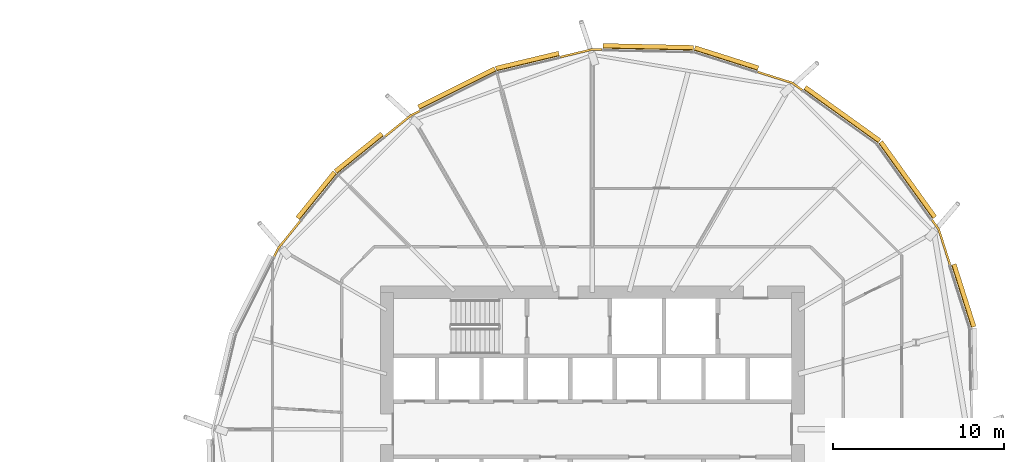
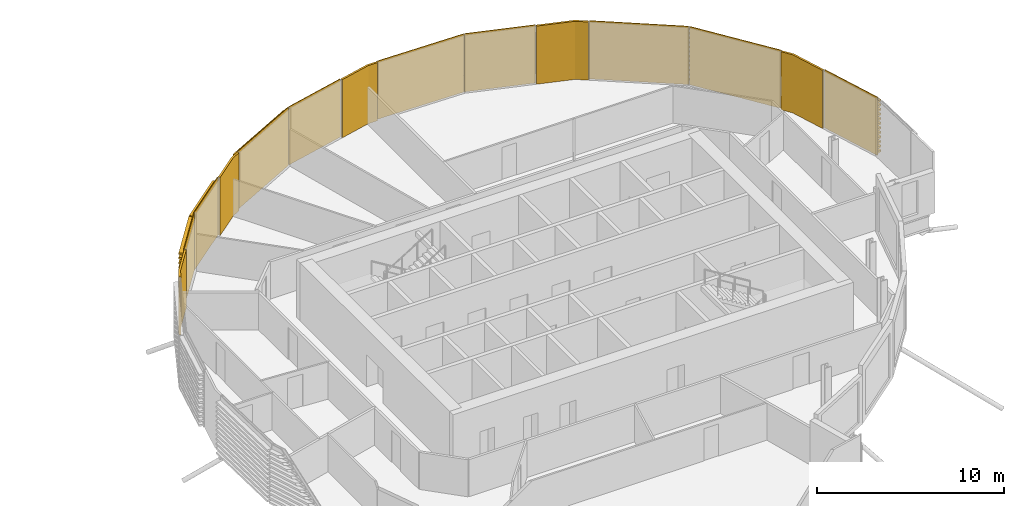
# One storey, part 39 of 39: 14 coverings.
"""IFC4 building model written with IfcOpenShell, lengths in metres."""

from ifc_helpers import new_model, si_unit, direction, frame, origin, place, context, subcontext, project, spatial, polyline, outline, extrude, material, layer, layer_set, material_profile, profile_set, type_object, element, save


model = new_model("IFC4")

# Units and contexts
model_context = context("Model", 3, precision=1e-05, world=origin(), true_north=direction((0.0, 1.0)))
body_context = subcontext(model_context, "Body", "Model", "MODEL_VIEW")
ifc_project = project(units=[si_unit("LENGTHUNIT", "METRE"), si_unit("AREAUNIT", "SQUARE_METRE"), si_unit("VOLUMEUNIT", "CUBIC_METRE"), si_unit("PLANEANGLEUNIT", "RADIAN"), si_unit("MASSUNIT", "GRAM", prefix="KILO")], contexts=[model_context])

# Site, building, storey
site_placement = place(None, origin())
site = spatial("IfcSite", under=ifc_project, at=site_placement, CompositionType="ELEMENT")
building_placement = place(site_placement, origin())
building = spatial("IfcBuilding", under=site, at=building_placement, Name="Rimbun Link Towers", CompositionType="ELEMENT")
storey_placement = place(building_placement, frame((0.0, 0.0, 96.800048828125)))
storey = spatial("IfcBuildingStorey", under=building, at=storey_placement, Name="L23", CompositionType="ELEMENT", Elevation=96.800048828125)

# Coverings
ifc_material_1 = material(Name="Terracotta", Category="masonry")
ifc_layer = layer(ifc_material_1, 0.1201171875)
ifc_layer_set = layer_set([ifc_layer], Name="LINK PIER terracotta cladding 120")
covering_type_1 = type_object("IfcCoveringType", Name="LINK PIER terracotta cladding 120", PredefinedType="CLADDING", material=ifc_layer_set)
covering_1_placement = place(storey_placement, origin())
element("IfcCovering", 1, at=covering_1_placement, inside=storey, type_object=covering_type_1, Name="LINK PIER cladding", PredefinedType="CLADDING", context=body_context, shape_type="SweptSolid", body=[
    extrude(outline(polyline([(41.3779296875, 20.818115234375), (43.398193359375, 20.175537109375), (43.9833984375, 19.755859375), (44.05322265625, 19.853271484375), (43.452880859375, 20.2841796875), (41.414306640625, 20.932373046875), (41.3779296875, 20.818115234375)])), origin(), (0.0, 0.0, 1.0), 3.800048828125),
])
covering_2_placement = place(storey_placement, origin())
element("IfcCovering", 2, at=covering_2_placement, inside=storey, type_object=covering_type_1, Name="LINK PIER cladding", PredefinedType="CLADDING", context=body_context, shape_type="SweptSolid", body=[
    extrude(outline(polyline([(29.882568359375, 21.682373046875), (31.75, 22.12890625), (32.31982421875, 22.116943359375), (32.322509765625, 22.237060546875), (31.737060546875, 22.249267578125), (29.854736328125, 21.799072265625), (29.882568359375, 21.682373046875)])), origin(), (0.0, 0.0, 1.0), 3.800048828125),
])
covering_3_placement = place(storey_placement, origin())
element("IfcCovering", 3, at=covering_3_placement, inside=storey, type_object=covering_type_1, Name="LINK PIER cladding", PredefinedType="CLADDING", context=body_context, shape_type="SweptSolid", body=[
    extrude(outline(polyline([(19.658203125, 17.0517578125), (21.189453125, 18.291259765625), (21.698974609375, 18.547119140625), (21.64501953125, 18.654296875), (21.1240234375, 18.392822265625), (19.582763671875, 17.14501953125), (19.658203125, 17.0517578125)])), origin(), (0.0, 0.0, 1.0), 3.800048828125),
])
covering_4_placement = place(storey_placement, origin())
element("IfcCovering", 4, at=covering_4_placement, inside=storey, type_object=covering_type_1, Name="LINK PIER cladding", PredefinedType="CLADDING", context=body_context, shape_type="SweptSolid", body=[
    extrude(outline(polyline([(13.202880859375, 10.051025390625), (13.458740234375, 10.560546875), (14.7294921875, 12.130615234375), (14.63623046875, 12.2060546875), (13.357177734375, 10.6259765625), (13.095703125, 10.10498046875), (13.202880859375, 10.051025390625)])), origin(), (0.0, 0.0, 1.0), 3.800048828125),
])
covering_5_placement = place(storey_placement, origin())
element("IfcCovering", 5, at=covering_5_placement, inside=storey, type_object=covering_type_1, Name="LINK PIER cladding", PredefinedType="CLADDING", context=body_context, shape_type="SweptSolid", body=[
    extrude(outline(polyline([(51.534912109375, 12.192626953125), (51.925537109375, 11.648193359375), (52.583251953125, 9.580322265625), (52.697509765625, 9.61669921875), (52.0341796875, 11.702880859375), (51.63232421875, 12.2626953125), (51.534912109375, 12.192626953125)])), origin(), (0.0, 0.0, 1.0), 3.800048828125),
])
ifc_material_2 = material(Name="Terracotta", Category="masonry")
ifc_material_profile = material_profile(ifc_material_2, outline(polyline([(0.123046875, 0.0), (0.1630859375, 0.0), (0.1630859375, 0.10009765625), (0.423095703125, 0.10009765625), (0.423095703125, 0.219970703125), (0.1630859375, 0.219970703125), (0.1630859375, 0.39990234375), (0.423095703125, 0.39990234375), (0.423095703125, 0.52001953125), (0.1630859375, 0.52001953125), (0.1630859375, 0.699951171875), (0.423095703125, 0.699951171875), (0.423095703125, 0.820068359375), (0.1630859375, 0.820068359375), (0.1630859375, 1.0), (0.423095703125, 1.0), (0.423095703125, 1.1201171875), (0.1630859375, 1.1201171875), (0.1630859375, 1.300048828125), (0.423095703125, 1.300048828125), (0.423095703125, 1.419921875), (0.1630859375, 1.419921875), (0.1630859375, 1.60009765625), (0.423095703125, 1.60009765625), (0.423095703125, 1.719970703125), (0.1630859375, 1.719970703125), (0.1630859375, 1.89990234375), (0.423095703125, 1.89990234375), (0.423095703125, 2.02001953125), (0.1630859375, 2.02001953125), (0.1630859375, 2.199951171875), (0.423095703125, 2.199951171875), (0.423095703125, 2.320068359375), (0.1630859375, 2.320068359375), (0.1630859375, 2.5), (0.423095703125, 2.5), (0.423095703125, 2.6201171875), (0.1630859375, 2.6201171875), (0.1630859375, 2.800048828125), (0.423095703125, 2.800048828125), (0.423095703125, 2.919921875), (0.1630859375, 2.919921875), (0.1630859375, 3.10009765625), (0.423095703125, 3.10009765625), (0.423095703125, 3.219970703125), (0.1630859375, 3.219970703125), (0.1630859375, 3.39990234375), (0.423095703125, 3.39990234375), (0.423095703125, 3.52001953125), (0.1630859375, 3.52001953125), (0.1630859375, 3.800048828125), (0.123046875, 3.800048828125), (0.123046875, 0.0)])), Name="BAGUETTE 120X300")
ifc_profile_set = profile_set([ifc_material_profile], Name="Terracotta")
covering_type_2 = type_object("IfcCoveringType", Name="TERRACOTTA BAGUETTE 120X300 H3800", PredefinedType="CLADDING", material=ifc_profile_set)
covering_6_placement = place(storey_placement, frame((44.007568359375, 19.73828125, 0.0), z_axis=(0.812479161919, -0.58299023272, 0.0), x_axis=(0.58299023272, 0.812479161919, 0.0)))
element("IfcCovering", 6, at=covering_6_placement, inside=storey, type_object=covering_type_2, Name="TERRACOTTA BAGUETTE", PredefinedType="CLADDING", context=body_context, shape_type="SweptSolid", body=[
    extrude(outline(polyline([(0.123046875, 0.0), (0.1630859375, 0.0), (0.1630859375, 0.10009765625), (0.423095703125, 0.10009765625), (0.423095703125, 0.219970703125), (0.1630859375, 0.219970703125), (0.1630859375, 0.39990234375), (0.423095703125, 0.39990234375), (0.423095703125, 0.52001953125), (0.1630859375, 0.52001953125), (0.1630859375, 0.699951171875), (0.423095703125, 0.699951171875), (0.423095703125, 0.820068359375), (0.1630859375, 0.820068359375), (0.1630859375, 1.0), (0.423095703125, 1.0), (0.423095703125, 1.1201171875), (0.1630859375, 1.1201171875), (0.1630859375, 1.300048828125), (0.423095703125, 1.300048828125), (0.423095703125, 1.419921875), (0.1630859375, 1.419921875), (0.1630859375, 1.60009765625), (0.423095703125, 1.60009765625), (0.423095703125, 1.719970703125), (0.1630859375, 1.719970703125), (0.1630859375, 1.89990234375), (0.423095703125, 1.89990234375), (0.423095703125, 2.02001953125), (0.1630859375, 2.02001953125), (0.1630859375, 2.199951171875), (0.423095703125, 2.199951171875), (0.423095703125, 2.320068359375), (0.1630859375, 2.320068359375), (0.1630859375, 2.5), (0.423095703125, 2.5), (0.423095703125, 2.6201171875), (0.1630859375, 2.6201171875), (0.1630859375, 2.800048828125), (0.423095703125, 2.800048828125), (0.423095703125, 2.919921875), (0.1630859375, 2.919921875), (0.1630859375, 3.10009765625), (0.423095703125, 3.10009765625), (0.423095703125, 3.219970703125), (0.1630859375, 3.219970703125), (0.1630859375, 3.39990234375), (0.423095703125, 3.39990234375), (0.423095703125, 3.52001953125), (0.1630859375, 3.52001953125), (0.1630859375, 3.800048828125), (0.123046875, 3.800048828125), (0.123046875, 0.0)])), origin(), (0.0, 0.0, 1.0), 5.360595703125),
])
covering_7_placement = place(storey_placement, frame((37.646240234375, 22.0048828125, 0.0), z_axis=(0.952965377873, -0.303079178722, 0.0), x_axis=(0.303079178722, 0.952965377873, 0.0)))
element("IfcCovering", 7, at=covering_7_placement, inside=storey, type_object=covering_type_2, Name="TERRACOTTA BAGUETTE", PredefinedType="CLADDING", context=body_context, shape_type="SweptSolid", body=[
    extrude(outline(polyline([(0.123046875, 0.0), (0.1630859375, 0.0), (0.1630859375, 0.10009765625), (0.423095703125, 0.10009765625), (0.423095703125, 0.219970703125), (0.1630859375, 0.219970703125), (0.1630859375, 0.39990234375), (0.423095703125, 0.39990234375), (0.423095703125, 0.52001953125), (0.1630859375, 0.52001953125), (0.1630859375, 0.699951171875), (0.423095703125, 0.699951171875), (0.423095703125, 0.820068359375), (0.1630859375, 0.820068359375), (0.1630859375, 1.0), (0.423095703125, 1.0), (0.423095703125, 1.1201171875), (0.1630859375, 1.1201171875), (0.1630859375, 1.300048828125), (0.423095703125, 1.300048828125), (0.423095703125, 1.419921875), (0.1630859375, 1.419921875), (0.1630859375, 1.60009765625), (0.423095703125, 1.60009765625), (0.423095703125, 1.719970703125), (0.1630859375, 1.719970703125), (0.1630859375, 1.89990234375), (0.423095703125, 1.89990234375), (0.423095703125, 2.02001953125), (0.1630859375, 2.02001953125), (0.1630859375, 2.199951171875), (0.423095703125, 2.199951171875), (0.423095703125, 2.320068359375), (0.1630859375, 2.320068359375), (0.1630859375, 2.5), (0.423095703125, 2.5), (0.423095703125, 2.6201171875), (0.1630859375, 2.6201171875), (0.1630859375, 2.800048828125), (0.423095703125, 2.800048828125), (0.423095703125, 2.919921875), (0.1630859375, 2.919921875), (0.1630859375, 3.10009765625), (0.423095703125, 3.10009765625), (0.423095703125, 3.219970703125), (0.1630859375, 3.219970703125), (0.1630859375, 3.39990234375), (0.423095703125, 3.39990234375), (0.423095703125, 3.52001953125), (0.1630859375, 3.52001953125), (0.1630859375, 3.800048828125), (0.123046875, 3.800048828125), (0.123046875, 0.0)])), origin(), (0.0, 0.0, 1.0), 3.885986328125),
])
covering_8_placement = place(storey_placement, frame((32.349853515625, 22.116455078125, 0.0), z_axis=(0.999778191278, -0.021061059897, 0.0), x_axis=(0.021061059897, 0.999778191278, 0.0)))
element("IfcCovering", 8, at=covering_8_placement, inside=storey, type_object=covering_type_2, Name="TERRACOTTA BAGUETTE", PredefinedType="CLADDING", context=body_context, shape_type="SweptSolid", body=[
    extrude(outline(polyline([(0.123046875, 0.0), (0.1630859375, 0.0), (0.1630859375, 0.10009765625), (0.423095703125, 0.10009765625), (0.423095703125, 0.219970703125), (0.1630859375, 0.219970703125), (0.1630859375, 0.39990234375), (0.423095703125, 0.39990234375), (0.423095703125, 0.52001953125), (0.1630859375, 0.52001953125), (0.1630859375, 0.699951171875), (0.423095703125, 0.699951171875), (0.423095703125, 0.820068359375), (0.1630859375, 0.820068359375), (0.1630859375, 1.0), (0.423095703125, 1.0), (0.423095703125, 1.1201171875), (0.1630859375, 1.1201171875), (0.1630859375, 1.300048828125), (0.423095703125, 1.300048828125), (0.423095703125, 1.419921875), (0.1630859375, 1.419921875), (0.1630859375, 1.60009765625), (0.423095703125, 1.60009765625), (0.423095703125, 1.719970703125), (0.1630859375, 1.719970703125), (0.1630859375, 1.89990234375), (0.423095703125, 1.89990234375), (0.423095703125, 2.02001953125), (0.1630859375, 2.02001953125), (0.1630859375, 2.199951171875), (0.423095703125, 2.199951171875), (0.423095703125, 2.320068359375), (0.1630859375, 2.320068359375), (0.1630859375, 2.5), (0.423095703125, 2.5), (0.423095703125, 2.6201171875), (0.1630859375, 2.6201171875), (0.1630859375, 2.800048828125), (0.423095703125, 2.800048828125), (0.423095703125, 2.919921875), (0.1630859375, 2.919921875), (0.1630859375, 3.10009765625), (0.423095703125, 3.10009765625), (0.423095703125, 3.219970703125), (0.1630859375, 3.219970703125), (0.1630859375, 3.39990234375), (0.423095703125, 3.39990234375), (0.423095703125, 3.52001953125), (0.1630859375, 3.52001953125), (0.1630859375, 3.800048828125), (0.123046875, 3.800048828125), (0.123046875, 0.0)])), origin(), (0.0, 0.0, 1.0), 5.297607421875),
])
covering_9_placement = place(storey_placement, frame((26.177490234375, 20.79638671875, 0.0), z_axis=(0.972572856512, 0.232598449645, 0.0), x_axis=(-0.232598449645, 0.972572856512, 0.0)))
element("IfcCovering", 9, at=covering_9_placement, inside=storey, type_object=covering_type_2, Name="TERRACOTTA BAGUETTE", PredefinedType="CLADDING", context=body_context, shape_type="SweptSolid", body=[
    extrude(outline(polyline([(0.123046875, 0.0), (0.1630859375, 0.0), (0.1630859375, 0.10009765625), (0.423095703125, 0.10009765625), (0.423095703125, 0.219970703125), (0.1630859375, 0.219970703125), (0.1630859375, 0.39990234375), (0.423095703125, 0.39990234375), (0.423095703125, 0.52001953125), (0.1630859375, 0.52001953125), (0.1630859375, 0.699951171875), (0.423095703125, 0.699951171875), (0.423095703125, 0.820068359375), (0.1630859375, 0.820068359375), (0.1630859375, 1.0), (0.423095703125, 1.0), (0.423095703125, 1.1201171875), (0.1630859375, 1.1201171875), (0.1630859375, 1.300048828125), (0.423095703125, 1.300048828125), (0.423095703125, 1.419921875), (0.1630859375, 1.419921875), (0.1630859375, 1.60009765625), (0.423095703125, 1.60009765625), (0.423095703125, 1.719970703125), (0.1630859375, 1.719970703125), (0.1630859375, 1.89990234375), (0.423095703125, 1.89990234375), (0.423095703125, 2.02001953125), (0.1630859375, 2.02001953125), (0.1630859375, 2.199951171875), (0.423095703125, 2.199951171875), (0.423095703125, 2.320068359375), (0.1630859375, 2.320068359375), (0.1630859375, 2.5), (0.423095703125, 2.5), (0.423095703125, 2.6201171875), (0.1630859375, 2.6201171875), (0.1630859375, 2.800048828125), (0.423095703125, 2.800048828125), (0.423095703125, 2.919921875), (0.1630859375, 2.919921875), (0.1630859375, 3.10009765625), (0.423095703125, 3.10009765625), (0.423095703125, 3.219970703125), (0.1630859375, 3.219970703125), (0.1630859375, 3.39990234375), (0.423095703125, 3.39990234375), (0.423095703125, 3.52001953125), (0.1630859375, 3.52001953125), (0.1630859375, 3.800048828125), (0.123046875, 3.800048828125), (0.123046875, 0.0)])), origin(), (0.0, 0.0, 1.0), 3.77978515625),
])
covering_10_placement = place(storey_placement, frame((21.7255859375, 18.560546875, 0.0), z_axis=(0.893631877808, 0.44880069849, 0.0), x_axis=(-0.44880069849, 0.893631877808, 0.0)))
element("IfcCovering", 10, at=covering_10_placement, inside=storey, type_object=covering_type_2, Name="TERRACOTTA BAGUETTE", PredefinedType="CLADDING", context=body_context, shape_type="SweptSolid", body=[
    extrude(outline(polyline([(0.123046875, 0.0), (0.1630859375, 0.0), (0.1630859375, 0.10009765625), (0.423095703125, 0.10009765625), (0.423095703125, 0.219970703125), (0.1630859375, 0.219970703125), (0.1630859375, 0.39990234375), (0.423095703125, 0.39990234375), (0.423095703125, 0.52001953125), (0.1630859375, 0.52001953125), (0.1630859375, 0.699951171875), (0.423095703125, 0.699951171875), (0.423095703125, 0.820068359375), (0.1630859375, 0.820068359375), (0.1630859375, 1.0), (0.423095703125, 1.0), (0.423095703125, 1.1201171875), (0.1630859375, 1.1201171875), (0.1630859375, 1.300048828125), (0.423095703125, 1.300048828125), (0.423095703125, 1.419921875), (0.1630859375, 1.419921875), (0.1630859375, 1.60009765625), (0.423095703125, 1.60009765625), (0.423095703125, 1.719970703125), (0.1630859375, 1.719970703125), (0.1630859375, 1.89990234375), (0.423095703125, 1.89990234375), (0.423095703125, 2.02001953125), (0.1630859375, 2.02001953125), (0.1630859375, 2.199951171875), (0.423095703125, 2.199951171875), (0.423095703125, 2.320068359375), (0.1630859375, 2.320068359375), (0.1630859375, 2.5), (0.423095703125, 2.5), (0.423095703125, 2.6201171875), (0.1630859375, 2.6201171875), (0.1630859375, 2.800048828125), (0.423095703125, 2.800048828125), (0.423095703125, 2.919921875), (0.1630859375, 2.919921875), (0.1630859375, 3.10009765625), (0.423095703125, 3.10009765625), (0.423095703125, 3.219970703125), (0.1630859375, 3.219970703125), (0.1630859375, 3.39990234375), (0.423095703125, 3.39990234375), (0.423095703125, 3.52001953125), (0.1630859375, 3.52001953125), (0.1630859375, 3.800048828125), (0.123046875, 3.800048828125), (0.123046875, 0.0)])), origin(), (0.0, 0.0, 1.0), 4.981689453125),
])
covering_11_placement = place(storey_placement, frame((16.9169921875, 14.8330078125, 0.0), z_axis=(0.777293645949, 0.629137972123, 0.0), x_axis=(-0.629137972123, 0.777293645949, 0.0)))
element("IfcCovering", 11, at=covering_11_placement, inside=storey, type_object=covering_type_2, Name="TERRACOTTA BAGUETTE", PredefinedType="CLADDING", context=body_context, shape_type="SweptSolid", body=[
    extrude(outline(polyline([(0.123046875, 0.0), (0.1630859375, 0.0), (0.1630859375, 0.10009765625), (0.423095703125, 0.10009765625), (0.423095703125, 0.219970703125), (0.1630859375, 0.219970703125), (0.1630859375, 0.39990234375), (0.423095703125, 0.39990234375), (0.423095703125, 0.52001953125), (0.1630859375, 0.52001953125), (0.1630859375, 0.699951171875), (0.423095703125, 0.699951171875), (0.423095703125, 0.820068359375), (0.1630859375, 0.820068359375), (0.1630859375, 1.0), (0.423095703125, 1.0), (0.423095703125, 1.1201171875), (0.1630859375, 1.1201171875), (0.1630859375, 1.300048828125), (0.423095703125, 1.300048828125), (0.423095703125, 1.419921875), (0.1630859375, 1.419921875), (0.1630859375, 1.60009765625), (0.423095703125, 1.60009765625), (0.423095703125, 1.719970703125), (0.1630859375, 1.719970703125), (0.1630859375, 1.89990234375), (0.423095703125, 1.89990234375), (0.423095703125, 2.02001953125), (0.1630859375, 2.02001953125), (0.1630859375, 2.199951171875), (0.423095703125, 2.199951171875), (0.423095703125, 2.320068359375), (0.1630859375, 2.320068359375), (0.1630859375, 2.5), (0.423095703125, 2.5), (0.423095703125, 2.6201171875), (0.1630859375, 2.6201171875), (0.1630859375, 2.800048828125), (0.423095703125, 2.800048828125), (0.423095703125, 2.919921875), (0.1630859375, 2.919921875), (0.1630859375, 3.10009765625), (0.423095703125, 3.10009765625), (0.423095703125, 3.219970703125), (0.1630859375, 3.219970703125), (0.1630859375, 3.39990234375), (0.423095703125, 3.39990234375), (0.423095703125, 3.52001953125), (0.1630859375, 3.52001953125), (0.1630859375, 3.800048828125), (0.123046875, 3.800048828125), (0.123046875, 0.0)])), origin(), (0.0, 0.0, 1.0), 3.496826171875),
])
covering_12_placement = place(storey_placement, frame((14.74853515625, 12.15380859375, 0.0), z_axis=(0.62912487166, 0.777304249222, 0.0), x_axis=(-0.777304249222, 0.62912487166, 0.0)))
element("IfcCovering", 12, at=covering_12_placement, inside=storey, type_object=covering_type_2, Name="TERRACOTTA BAGUETTE", PredefinedType="CLADDING", context=body_context, shape_type="SweptSolid", body=[
    extrude(outline(polyline([(0.123046875, 0.0), (0.1630859375, 0.0), (0.1630859375, 0.10009765625), (0.423095703125, 0.10009765625), (0.423095703125, 0.219970703125), (0.1630859375, 0.219970703125), (0.1630859375, 0.39990234375), (0.423095703125, 0.39990234375), (0.423095703125, 0.52001953125), (0.1630859375, 0.52001953125), (0.1630859375, 0.699951171875), (0.423095703125, 0.699951171875), (0.423095703125, 0.820068359375), (0.1630859375, 0.820068359375), (0.1630859375, 1.0), (0.423095703125, 1.0), (0.423095703125, 1.1201171875), (0.1630859375, 1.1201171875), (0.1630859375, 1.300048828125), (0.423095703125, 1.300048828125), (0.423095703125, 1.419921875), (0.1630859375, 1.419921875), (0.1630859375, 1.60009765625), (0.423095703125, 1.60009765625), (0.423095703125, 1.719970703125), (0.1630859375, 1.719970703125), (0.1630859375, 1.89990234375), (0.423095703125, 1.89990234375), (0.423095703125, 2.02001953125), (0.1630859375, 2.02001953125), (0.1630859375, 2.199951171875), (0.423095703125, 2.199951171875), (0.423095703125, 2.320068359375), (0.1630859375, 2.320068359375), (0.1630859375, 2.5), (0.423095703125, 2.5), (0.423095703125, 2.6201171875), (0.1630859375, 2.6201171875), (0.1630859375, 2.800048828125), (0.423095703125, 2.800048828125), (0.423095703125, 2.919921875), (0.1630859375, 2.919921875), (0.1630859375, 3.10009765625), (0.423095703125, 3.10009765625), (0.423095703125, 3.219970703125), (0.1630859375, 3.219970703125), (0.1630859375, 3.39990234375), (0.423095703125, 3.39990234375), (0.423095703125, 3.52001953125), (0.1630859375, 3.52001953125), (0.1630859375, 3.800048828125), (0.123046875, 3.800048828125), (0.123046875, 0.0)])), origin(), (0.0, 0.0, 1.0), 3.44677734375),
])
covering_13_placement = place(storey_placement, frame((52.59228515625, 9.5517578125, 0.0), z_axis=(0.303080184722, -0.952965057926, 0.0), x_axis=(0.952965057926, 0.303080184722, 0.0)))
element("IfcCovering", 13, at=covering_13_placement, inside=storey, type_object=covering_type_2, Name="TERRACOTTA BAGUETTE", PredefinedType="CLADDING", context=body_context, shape_type="SweptSolid", body=[
    extrude(outline(polyline([(0.123046875, 0.0), (0.1630859375, 0.0), (0.1630859375, 0.10009765625), (0.423095703125, 0.10009765625), (0.423095703125, 0.219970703125), (0.1630859375, 0.219970703125), (0.1630859375, 0.39990234375), (0.423095703125, 0.39990234375), (0.423095703125, 0.52001953125), (0.1630859375, 0.52001953125), (0.1630859375, 0.699951171875), (0.423095703125, 0.699951171875), (0.423095703125, 0.820068359375), (0.1630859375, 0.820068359375), (0.1630859375, 1.0), (0.423095703125, 1.0), (0.423095703125, 1.1201171875), (0.1630859375, 1.1201171875), (0.1630859375, 1.300048828125), (0.423095703125, 1.300048828125), (0.423095703125, 1.419921875), (0.1630859375, 1.419921875), (0.1630859375, 1.60009765625), (0.423095703125, 1.60009765625), (0.423095703125, 1.719970703125), (0.1630859375, 1.719970703125), (0.1630859375, 1.89990234375), (0.423095703125, 1.89990234375), (0.423095703125, 2.02001953125), (0.1630859375, 2.02001953125), (0.1630859375, 2.199951171875), (0.423095703125, 2.199951171875), (0.423095703125, 2.320068359375), (0.1630859375, 2.320068359375), (0.1630859375, 2.5), (0.423095703125, 2.5), (0.423095703125, 2.6201171875), (0.1630859375, 2.6201171875), (0.1630859375, 2.800048828125), (0.423095703125, 2.800048828125), (0.423095703125, 2.919921875), (0.1630859375, 2.919921875), (0.1630859375, 3.10009765625), (0.423095703125, 3.10009765625), (0.423095703125, 3.219970703125), (0.1630859375, 3.219970703125), (0.1630859375, 3.39990234375), (0.423095703125, 3.39990234375), (0.423095703125, 3.52001953125), (0.1630859375, 3.52001953125), (0.1630859375, 3.800048828125), (0.123046875, 3.800048828125), (0.123046875, 0.0)])), origin(), (0.0, 0.0, 1.0), 3.8359375),
])
covering_14_placement = place(storey_placement, frame((48.363037109375, 16.613037109375, 0.0), z_axis=(0.582986883394, -0.812481565201, 0.0), x_axis=(0.812481565201, 0.582986883394, 0.0)))
element("IfcCovering", 14, at=covering_14_placement, inside=storey, type_object=covering_type_2, Name="TERRACOTTA BAGUETTE", PredefinedType="CLADDING", context=body_context, shape_type="SweptSolid", body=[
    extrude(outline(polyline([(0.123046875, 0.0), (0.1630859375, 0.0), (0.1630859375, 0.10009765625), (0.423095703125, 0.10009765625), (0.423095703125, 0.219970703125), (0.1630859375, 0.219970703125), (0.1630859375, 0.39990234375), (0.423095703125, 0.39990234375), (0.423095703125, 0.52001953125), (0.1630859375, 0.52001953125), (0.1630859375, 0.699951171875), (0.423095703125, 0.699951171875), (0.423095703125, 0.820068359375), (0.1630859375, 0.820068359375), (0.1630859375, 1.0), (0.423095703125, 1.0), (0.423095703125, 1.1201171875), (0.1630859375, 1.1201171875), (0.1630859375, 1.300048828125), (0.423095703125, 1.300048828125), (0.423095703125, 1.419921875), (0.1630859375, 1.419921875), (0.1630859375, 1.60009765625), (0.423095703125, 1.60009765625), (0.423095703125, 1.719970703125), (0.1630859375, 1.719970703125), (0.1630859375, 1.89990234375), (0.423095703125, 1.89990234375), (0.423095703125, 2.02001953125), (0.1630859375, 2.02001953125), (0.1630859375, 2.199951171875), (0.423095703125, 2.199951171875), (0.423095703125, 2.320068359375), (0.1630859375, 2.320068359375), (0.1630859375, 2.5), (0.423095703125, 2.5), (0.423095703125, 2.6201171875), (0.1630859375, 2.6201171875), (0.1630859375, 2.800048828125), (0.423095703125, 2.800048828125), (0.423095703125, 2.919921875), (0.1630859375, 2.919921875), (0.1630859375, 3.10009765625), (0.423095703125, 3.10009765625), (0.423095703125, 3.219970703125), (0.1630859375, 3.219970703125), (0.1630859375, 3.39990234375), (0.423095703125, 3.39990234375), (0.423095703125, 3.52001953125), (0.1630859375, 3.52001953125), (0.1630859375, 3.800048828125), (0.123046875, 3.800048828125), (0.123046875, 0.0)])), origin(), (0.0, 0.0, 1.0), 5.41064453125),
])

save(model, "model.ifc")
